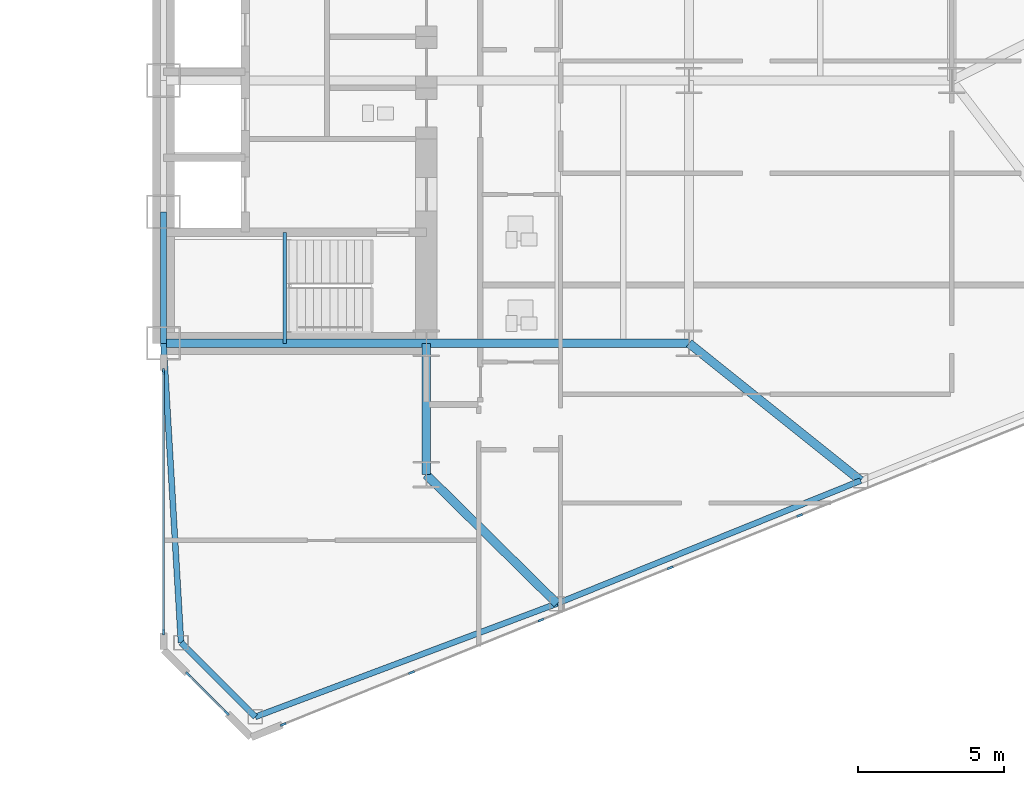
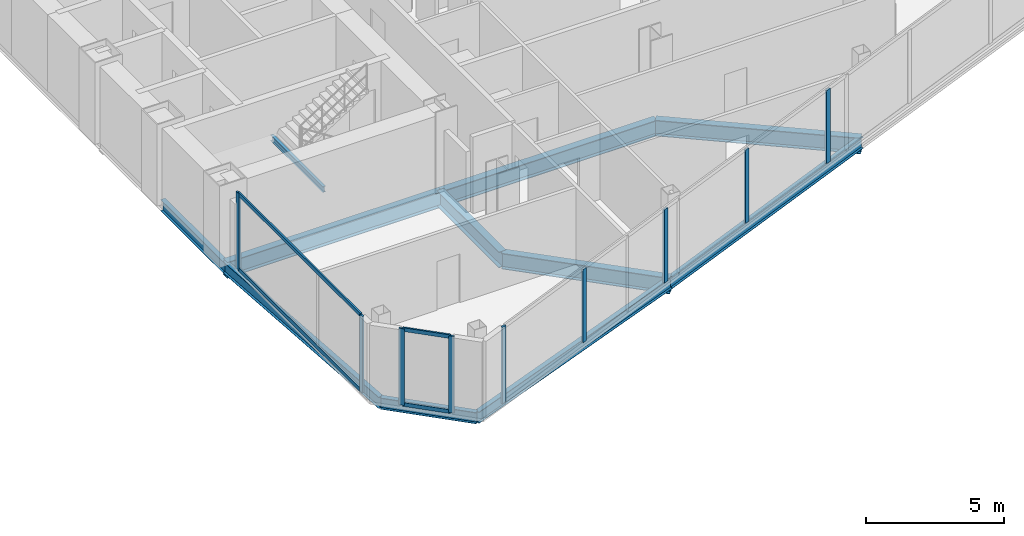
# One storey, part 9 of 25: 13 members, 11 beams, 3 elements without a shape of their own.
"""IFC4 building model written with IfcOpenShell, lengths in metres."""

import ifcopenshell
import ifcopenshell.guid

model = None  # the IFC model being written
_history = None  # IfcOwnerHistory: only IFC2X3 demands one
_inside = {}  # id of a spatial element -> (the spatial element, [elements in it])
_under = {}  # id of a project, library or spatial element -> (it, [spatial elements below it])
_declared = {}  # id of a project -> (the project, [libraries it declares])
_typed = {}  # id of a type object -> (the type object, [elements of that type])
_made_of = {}  # id of a material, layer set ... -> (it, [elements and type objects made of it])


def new_model(schema):
    """Start an empty IFC model of exactly this schema.

    Asked for "IFC4X3", IfcOpenShell would pick the latest addendum, in which some entities
    have other attributes; the version numbers below select the first issue.
    IFC2X3 requires an IfcOwnerHistory on every rooted entity: one is made here for all.
    """
    global model, _history
    if schema == "IFC4X3":
        model = ifcopenshell.file(schema_version=(4, 3, 0, 0))
    else:
        model = ifcopenshell.file(schema=schema)
    _inside.clear()
    _under.clear()
    _declared.clear()
    _typed.clear()
    _made_of.clear()
    _history = None
    if model.schema == "IFC2X3":
        org = make("IfcOrganization", Name="unknown")
        user = make(
            "IfcPersonAndOrganization",
            ThePerson=make("IfcPerson", FamilyName="unknown"),
            TheOrganization=org,
        )
        app = make(
            "IfcApplication",
            ApplicationDeveloper=org,
            Version="unknown",
            ApplicationFullName="unknown",
            ApplicationIdentifier="unknown",
        )
        _history = make(
            "IfcOwnerHistory",
            OwningUser=user,
            OwningApplication=app,
            ChangeAction="ADDED",
            CreationDate=0,
        )
    return model


def make(cls, **values):
    """One entity of the class cls with the attributes given. An attribute that is None is left unset."""
    return model.create_entity(
        cls, **{name: value for name, value in values.items() if value is not None}
    )


def rooted(cls, **values):
    """An entity with a GlobalId (a new one), such as an element, a storey or a relation."""
    return make(cls, GlobalId=ifcopenshell.guid.new(), OwnerHistory=_history, **values)


def si_unit(unit_type, name, prefix=None):
    """IfcSIUnit, for example si_unit("LENGTHUNIT", "METRE", prefix="MILLI")."""
    return make("IfcSIUnit", UnitType=unit_type, Prefix=prefix, Name=name)


def assignment(units):
    """IfcUnitAssignment: the units of a project."""
    return None if units is None else make("IfcUnitAssignment", Units=units)


def point(xyz):
    """IfcCartesianPoint."""
    return None if xyz is None else make("IfcCartesianPoint", Coordinates=xyz)


def direction(xyz):
    """IfcDirection."""
    return None if xyz is None else make("IfcDirection", DirectionRatios=xyz)


def frame(location, z_axis=None, x_axis=None):
    """IfcAxis2Placement3D, a coordinate frame: its origin and axes. An axis left out is left unset."""
    return make(
        "IfcAxis2Placement3D",
        Location=point(location),
        Axis=direction(z_axis),
        RefDirection=direction(x_axis),
    )


def frame_2d(location, x_axis=None):
    """IfcAxis2Placement2D, a coordinate frame in the plane: its origin and x axis."""
    return make(
        "IfcAxis2Placement2D", Location=point(location), RefDirection=direction(x_axis)
    )


def origin():
    """The frame at (0, 0, 0) with its axes left unset."""
    return frame((0.0, 0.0, 0.0))


def origin_2d():
    """The frame at (0, 0) in the plane with its x axis left unset."""
    return frame_2d((0.0, 0.0))


def place(relative_to, where):
    """IfcLocalPlacement: puts the frame where relative to a parent placement (None: the world)."""
    return make(
        "IfcLocalPlacement", PlacementRelTo=relative_to, RelativePlacement=where
    )


def context(
    kind, dimensions, precision=None, world=None, true_north=None, identifier=None
):
    """IfcGeometricRepresentationContext, for example the 3D "Model" context."""
    return make(
        "IfcGeometricRepresentationContext",
        ContextIdentifier=identifier,
        ContextType=kind,
        CoordinateSpaceDimension=dimensions,
        Precision=precision,
        WorldCoordinateSystem=world,
        TrueNorth=true_north,
    )


def subcontext(parent, identifier, kind, view, scale=None):
    """IfcGeometricRepresentationSubContext, for example "Body" below "Model"."""
    return make(
        "IfcGeometricRepresentationSubContext",
        ContextIdentifier=identifier,
        ContextType=kind,
        ParentContext=parent,
        TargetScale=scale,
        TargetView=view,
    )


def project(units=None, contexts=None):
    """IfcProject with its units and contexts."""
    return rooted(
        "IfcProject",
        Name="project",
        RepresentationContexts=contexts,
        UnitsInContext=assignment(units),
    )


def spatial(cls, under=None, at=None, **own):
    """A site, building, storey or space (cls), placed at a placement, below another one or the project."""
    s = rooted(cls, ObjectPlacement=at, **own)
    if under is not None:
        _under.setdefault(under.id(), (under, []))[1].append(s)
    return s


def profile(cls, at=None, kind="AREA", **sizes):
    """A parametric profile (cls). Its sizes go by their IFC names, for example OverallWidth=200.0."""
    return make(cls, ProfileType=kind, Position=at, **sizes)


def rectangle(**sizes):
    """IfcRectangleProfileDef."""
    return profile("IfcRectangleProfileDef", **sizes)


def i_section(**sizes):
    """IfcIShapeProfileDef."""
    return profile("IfcIShapeProfileDef", **sizes)


def extrude(swept, where, along, depth):
    """IfcExtrudedAreaSolid: the profile swept, set in the frame where, extruded along a direction by depth."""
    return make(
        "IfcExtrudedAreaSolid",
        SweptArea=swept,
        Position=where,
        ExtrudedDirection=direction(along),
        Depth=depth,
    )


def shape(context_of_items, identifier, shape_type, items):
    """IfcShapeRepresentation: the items that make up one representation, for example the "Body"."""
    return make(
        "IfcShapeRepresentation",
        ContextOfItems=context_of_items,
        RepresentationIdentifier=identifier,
        RepresentationType=shape_type,
        Items=items,
    )


def source(mapping_origin, context_of_items, identifier, shape_type, items):
    """IfcRepresentationMap: a shape defined once, which mapped items show again and again."""
    return make(
        "IfcRepresentationMap",
        MappingOrigin=mapping_origin,
        MappedRepresentation=shape(context_of_items, identifier, shape_type, items),
    )


def transform(
    local_origin,
    x_axis=None,
    y_axis=None,
    z_axis=None,
    scale=None,
    scale2=None,
    scale3=None,
    uniform=True,
):
    """IfcCartesianTransformationOperator3D, or its non-uniform kind. x_axis, y_axis, z_axis: its Axis1, 2, 3."""
    if uniform:
        return make(
            "IfcCartesianTransformationOperator3D",
            Axis1=direction(x_axis),
            Axis2=direction(y_axis),
            LocalOrigin=point(local_origin),
            Scale=scale,
            Axis3=direction(z_axis),
        )
    return make(
        "IfcCartesianTransformationOperator3DnonUniform",
        Axis1=direction(x_axis),
        Axis2=direction(y_axis),
        LocalOrigin=point(local_origin),
        Scale=scale,
        Axis3=direction(z_axis),
        Scale2=scale2,
        Scale3=scale3,
    )


def mapped(mapping_source, mapping_target):
    """IfcMappedItem: shows the shape of a source again, moved by a transform."""
    return make(
        "IfcMappedItem", MappingSource=mapping_source, MappingTarget=mapping_target
    )


def material(Name=None, Category=None):
    """IfcMaterial."""
    return make("IfcMaterial", Name=Name, Category=Category)


def layer(
    of_material, thickness, ventilated=None, Name=None, Category=None, Priority=None
):
    """IfcMaterialLayer: one layer of a wall or slab, of a material (None: an air gap)."""
    return make(
        "IfcMaterialLayer",
        Material=of_material,
        LayerThickness=thickness,
        IsVentilated=ventilated,
        Name=Name,
        Category=Category,
        Priority=Priority,
    )


def layer_set(layers, Name=None):
    """IfcMaterialLayerSet."""
    return make("IfcMaterialLayerSet", MaterialLayers=layers, LayerSetName=Name)


def material_profile(
    of_material, cross_section, Name=None, Category=None, Priority=None
):
    """IfcMaterialProfile: a cross section and its material."""
    return make(
        "IfcMaterialProfile",
        Name=Name,
        Material=of_material,
        Profile=cross_section,
        Priority=Priority,
        Category=Category,
    )


def profile_set(profiles, Name=None, composite=None):
    """IfcMaterialProfileSet."""
    return make(
        "IfcMaterialProfileSet",
        Name=Name,
        MaterialProfiles=profiles,
        CompositeProfile=composite,
    )


def made_of(thing, what):
    """Note that an element or type object is made of a material, layer set ...; save() writes the relation."""
    if what is not None:
        _made_of.setdefault(what.id(), (what, []))[1].append(thing)
    return thing


def type_object(cls, material=None, **own):
    """A type object (cls), such as IfcWallType, which elements share."""
    return made_of(rooted(cls, **own), material)


def type_shapes(of_type, sources):
    """Give a type object the sources (RepresentationMaps) that its elements show as mapped items."""
    of_type.RepresentationMaps = sources


def element(
    cls,
    number,
    at=None,
    inside=None,
    cuts=None,
    type_object=None,
    material=None,
    context=None,
    identifier="Body",
    shape_type=None,
    held_by="IfcProductDefinitionShape",
    body=None,
    shapes=None,
    **own,
):
    """One element of the class cls, such as IfcWall. Its Tag is "e" and its number.

    at: its placement. inside: the storey or other place that contains it. cuts: it is an
    opening in that element (IfcRelVoidsElement). A single representation is given by context,
    identifier, shape_type and body (its items); several are given by shapes. held_by: the class
    of the entity that holds the representations. save() writes the other relations.
    """
    e = rooted(cls, Tag="e%d" % number, ObjectPlacement=at, **own)
    if body is not None:
        shapes = [shape(context, identifier, shape_type, body)]
    if shapes is not None:
        e.Representation = make(held_by, Representations=shapes)
    if inside is not None:
        _inside.setdefault(inside.id(), (inside, []))[1].append(e)
    if cuts is not None:
        rooted(
            "IfcRelVoidsElement", RelatingBuildingElement=cuts, RelatedOpeningElement=e
        )
    if type_object is not None:
        _typed.setdefault(type_object.id(), (type_object, []))[1].append(e)
    return made_of(e, material)


def aggregate(whole, parts):
    """IfcRelAggregates: a whole, such as a stair, and the parts it consists of."""
    return rooted("IfcRelAggregates", RelatingObject=whole, RelatedObjects=parts)


def save(model, path):
    """Write the relations noted so far, then the file.

    IfcRelAggregates (storeys below a building ...), IfcRelContainedInSpatialStructure (elements
    in a storey), IfcRelDefinesByType, IfcRelAssociatesMaterial and IfcRelDeclares: one each for
    every whole, place, type object, material and project.
    """
    for whole, parts in _under.values():
        aggregate(whole, parts)
    for where, things in _inside.values():
        rooted(
            "IfcRelContainedInSpatialStructure",
            RelatedElements=things,
            RelatingStructure=where,
        )
    for kind, things in _typed.values():
        rooted("IfcRelDefinesByType", RelatedObjects=things, RelatingType=kind)
    for what, things in _made_of.values():
        rooted("IfcRelAssociatesMaterial", RelatedObjects=things, RelatingMaterial=what)
    for by, libraries in _declared.values():
        rooted("IfcRelDeclares", RelatingContext=by, RelatedDefinitions=libraries)
    model.write(path)


model = new_model("IFC4")

# Units and contexts
model_context = context("Model", 3, precision=1e-05, world=origin(), true_north=direction((0.0, 1.0)))
body_context = subcontext(model_context, "Body", "Model", "MODEL_VIEW")
ifc_project = project(units=[si_unit("LENGTHUNIT", "METRE"), si_unit("AREAUNIT", "SQUARE_METRE"), si_unit("VOLUMEUNIT", "CUBIC_METRE"), si_unit("PLANEANGLEUNIT", "RADIAN"), si_unit("MASSUNIT", "GRAM", prefix="KILO")], contexts=[model_context])

# Site, building, storey
site_placement = place(None, origin())
site = spatial("IfcSite", under=ifc_project, at=site_placement, CompositionType="ELEMENT")
building_placement = place(site_placement, origin())
building = spatial("IfcBuilding", under=site, at=building_placement, Name="Seokmaru Belvedere", CompositionType="ELEMENT")
storey_placement = place(building_placement, frame((0.0, 0.0, 36.89990234375)))
storey = spatial("IfcBuildingStorey", under=building, at=storey_placement, Name="L09", CompositionType="ELEMENT", Elevation=36.89990234375)

# Beams
ifc_material_1 = material(Name="Steel SM355 (355 MPa)", Category="steel")
ifc_material_profile_1 = material_profile(ifc_material_1, i_section(OverallWidth=0.199951171875, OverallDepth=0.5, WebThickness=0.010009765625, FlangeThickness=0.01611328125, at=origin_2d()), Name="H-500x200x10x16")
ifc_profile_set_1 = profile_set([ifc_material_profile_1], Name="Steel SM355 (355 MPa)")
beam_type_1 = type_object("IfcBeamType", Name="Perimeter Spandrel Beam H-500", PredefinedType="SPANDREL", material=ifc_profile_set_1)
shared_shape_1 = source(origin(), body_context, "Body", "SweptSolid", [
    extrude(i_section(OverallWidth=0.199951171875, OverallDepth=0.5, WebThickness=0.010009765625, FlangeThickness=0.01611328125, at=origin_2d()), origin(), (0.0, 0.0, 1.0), 4.5),
])
beam_1_placement = place(storey_placement, frame((27.5, -13.5, -0.469970703125), z_axis=(0.0, 1.0, 0.0), x_axis=(-1.0, 0.0, 0.0)))
element("IfcBeam", 1, at=beam_1_placement, inside=storey, type_object=beam_type_1, Name="L09 E Portal Spine Spandrel 1", PredefinedType="SPANDREL", context=body_context, shape_type="MappedRepresentation", body=[
    mapped(shared_shape_1, transform((0.0, 0.0, 0.0), scale=1.0)),
])
ifc_material_profile_2 = material_profile(ifc_material_1, i_section(OverallWidth=0.300048828125, OverallDepth=0.699951171875, WebThickness=0.012939453125, FlangeThickness=0.02392578125, at=origin_2d()), Name="H-700x300x13x24")
ifc_profile_set_2 = profile_set([ifc_material_profile_2], Name="Steel SM355 (355 MPa)")
beam_type_2 = type_object("IfcBeamType", Name="Primary Floor Girder H-700", PredefinedType="BEAM", material=ifc_profile_set_2)
shared_shape_2 = source(origin(), body_context, "Body", "SweptSolid", [
    extrude(i_section(OverallWidth=0.300048828125, OverallDepth=0.699951171875, WebThickness=0.012939453125, FlangeThickness=0.02392578125, at=origin_2d()), origin(), (0.0, 0.0, 1.0), 4.5),
])
beam_2_placement = place(storey_placement, frame((36.5, -18.0, -0.56982421875), z_axis=(0.0, 1.0, 0.0), x_axis=(-1.0, 0.0, 0.0)))
element("IfcBeam", 2, at=beam_2_placement, inside=storey, type_object=beam_type_2, Name="L09 E Core Shoulder Girder S", PredefinedType="BEAM", context=body_context, shape_type="MappedRepresentation", body=[
    mapped(shared_shape_2, transform((0.0, 0.0, 0.0), scale=1.0)),
])
shared_shape_3 = source(origin(), body_context, "Body", "SweptSolid", [
    extrude(i_section(OverallWidth=0.300048828125, OverallDepth=0.699951171875, WebThickness=0.012939453125, FlangeThickness=0.02392578125, at=origin_2d()), origin(), (0.0, 0.0, 1.0), 9.0),
])
for number, where, z_axis, x_axis, name in (
    (3, (27.5, -13.5, -0.56982421875), (1.0, 0.0, 0.0), (0.0, 1.0, 0.0), "L09 E Core Tie Girder 1"),
    (4, (36.5, -13.5, -0.56982421875), (1.0, 0.0, 0.0), (0.0, 1.0, 0.0), "L09 E Wing Primary Girder 1"),
):
    element("IfcBeam", number, at=place(storey_placement, frame(where, z_axis=z_axis, x_axis=x_axis)), inside=storey, type_object=beam_type_2, Name=name, PredefinedType="BEAM", context=body_context, shape_type="MappedRepresentation", body=[
        mapped(shared_shape_3, transform((0.0, 0.0, 0.0), scale=1.0)),
    ])
shared_shape_4 = source(origin(), body_context, "Body", "SweptSolid", [
    extrude(i_section(OverallWidth=0.199951171875, OverallDepth=0.5, WebThickness=0.010009765625, FlangeThickness=0.01611328125, at=origin_2d()), origin(), (0.0, 0.0, 1.0), 11.03857421875),
])
beam_3_placement = place(storey_placement, frame((30.643310546875, -26.294677734375, -0.469970703125), z_axis=(0.936169110734, 0.351549990907, 0.0), x_axis=(-0.351549990907, 0.936169110734, 0.0)))
element("IfcBeam", 5, at=beam_3_placement, inside=storey, type_object=beam_type_1, Name="L09 E Faceted Flank Spandrel S-1", PredefinedType="SPANDREL", context=body_context, shape_type="MappedRepresentation", body=[
    mapped(shared_shape_4, transform((0.0, 0.0, 0.0), scale=1.0)),
])
shared_shape_5 = source(origin(), body_context, "Body", "SweptSolid", [
    extrude(i_section(OverallWidth=0.199951171875, OverallDepth=0.5, WebThickness=0.010009765625, FlangeThickness=0.01611328125, at=origin_2d()), origin(), (0.0, 0.0, 1.0), 11.220703125),
])
beam_4_placement = place(storey_placement, frame((40.977294921875, -22.4140625, -0.469970703125), z_axis=(0.926944290816, 0.375198989503, 0.0), x_axis=(-0.375198989503, 0.926944290816, 0.0)))
element("IfcBeam", 6, at=beam_4_placement, inside=storey, type_object=beam_type_1, Name="L09 E Faceted Flank Spandrel S-2", PredefinedType="SPANDREL", context=body_context, shape_type="MappedRepresentation", body=[
    mapped(shared_shape_5, transform((0.0, 0.0, 0.0), scale=1.0)),
])
shared_shape_6 = source(origin(), body_context, "Body", "SweptSolid", [
    extrude(i_section(OverallWidth=0.199951171875, OverallDepth=0.5, WebThickness=0.010009765625, FlangeThickness=0.01611328125, at=origin_2d()), origin(), (0.0, 0.0, 1.0), 3.5966796875),
])
beam_5_placement = place(storey_placement, frame((30.643310546875, -26.294677734375, -0.469970703125), z_axis=(-0.707106781187, 0.707106781187, 0.0), x_axis=(-0.707106781187, -0.707106781187, 0.0)))
element("IfcBeam", 7, at=beam_5_placement, inside=storey, type_object=beam_type_1, Name="L09 E Shoulder Chamfer Spandrel S", PredefinedType="SPANDREL", context=body_context, shape_type="MappedRepresentation", body=[
    mapped(shared_shape_6, transform((0.0, 0.0, 0.0), scale=1.0)),
])
shared_shape_7 = source(origin(), body_context, "Body", "SweptSolid", [
    extrude(i_section(OverallWidth=0.199951171875, OverallDepth=0.5, WebThickness=0.010009765625, FlangeThickness=0.01611328125, at=origin_2d()), origin(), (0.0, 0.0, 1.0), 10.26904296875),
])
type_shapes(beam_type_1, [shared_shape_1, shared_shape_4, shared_shape_5, shared_shape_6, shared_shape_7])
beam_6_placement = place(storey_placement, frame((28.10009765625, -23.75146484375, -0.469970703125), z_axis=(-0.058437709399, 0.998291056817, 0.0), x_axis=(-0.998291056817, -0.058437709399, 0.0)))
element("IfcBeam", 8, at=beam_6_placement, inside=storey, type_object=beam_type_1, Name="L09 E Shoulder Spine Spandrel S", PredefinedType="SPANDREL", context=body_context, shape_type="MappedRepresentation", body=[
    mapped(shared_shape_7, transform((0.0, 0.0, 0.0), scale=1.0)),
])
shared_shape_8 = source(origin(), body_context, "Body", "SweptSolid", [
    extrude(i_section(OverallWidth=0.300048828125, OverallDepth=0.699951171875, WebThickness=0.012939453125, FlangeThickness=0.02392578125, at=origin_2d()), origin(), (0.0, 0.0, 1.0), 6.287353515625),
])
beam_7_placement = place(storey_placement, frame((40.977294921875, -22.4140625, -0.56982421875), z_axis=(-0.712117485263, 0.702060315915, 0.0), x_axis=(-0.702060315915, -0.712117485263, 0.0)))
element("IfcBeam", 9, at=beam_7_placement, inside=storey, type_object=beam_type_2, Name="L09 E Flank Radial Floor Girder S-1", PredefinedType="BEAM", context=body_context, shape_type="MappedRepresentation", body=[
    mapped(shared_shape_8, transform((0.0, 0.0, 0.0), scale=1.0)),
])
shared_shape_9 = source(origin(), body_context, "Body", "SweptSolid", [
    extrude(i_section(OverallWidth=0.300048828125, OverallDepth=0.699951171875, WebThickness=0.012939453125, FlangeThickness=0.02392578125, at=origin_2d()), origin(), (0.0, 0.0, 1.0), 7.52880859375),
])
type_shapes(beam_type_2, [shared_shape_2, shared_shape_3, shared_shape_8, shared_shape_9])
beam_8_placement = place(storey_placement, frame((51.378173828125, -18.2041015625, -0.56982421875), z_axis=(-0.780767560736, 0.624821587418, 0.0), x_axis=(-0.624821587418, -0.780767560736, 0.0)))
element("IfcBeam", 10, at=beam_8_placement, inside=storey, type_object=beam_type_2, Name="L09 E Flank Radial Floor Girder S-2", PredefinedType="BEAM", context=body_context, shape_type="MappedRepresentation", body=[
    mapped(shared_shape_9, transform((0.0, 0.0, 0.0), scale=1.0)),
])

# Curtain wall, member
ifc_material_2 = material(Name="Bronze Triple Insulating Glass", Category="glass")
ifc_layer = layer(ifc_material_2, 0.2099609375)
ifc_layer_set = layer_set([ifc_layer], Name="Bronze Triple Insulating Glass")
curtain_wall_type = type_object("IfcCurtainWallType", Name="Low-Rise Faceted Crystal Curtain Wall System CW-2", PredefinedType="NOTDEFINED", material=ifc_layer_set)
curtain_wall_1_placement = place(storey_placement, origin())
curtain_wall_1 = element("IfcCurtainWall", 11, at=curtain_wall_1_placement, inside=storey, type_object=curtain_wall_type, Name="L09 Curtain Wall EF1", PredefinedType="NOTDEFINED")
ifc_material_3 = material(Name="Anodised Bronze Aluminium", Category="aluminium")
ifc_material_profile_3 = material_profile(ifc_material_3, rectangle(XDim=0.074951171875, YDim=0.2099609375, at=origin_2d()), Name="CW-M-75x210")
ifc_profile_set_3 = profile_set([ifc_material_profile_3], Name="Anodised Bronze Aluminium")
member_type_1 = type_object("IfcMemberType", Name="Bronze Unitised Mullion 75x210", PredefinedType="MULLION", material=ifc_profile_set_3)
shared_shape_10 = source(origin(), body_context, "Body", "SweptSolid", [
    extrude(rectangle(XDim=0.074951171875, YDim=0.2099609375, at=origin_2d()), origin(), (0.0, 0.0, 1.0), 3.380126953125),
])
member_1_placement = place(storey_placement, frame((31.600830078125, -26.554443359375, 0.0), z_axis=(0.0, 0.0, 1.0), x_axis=(-0.375192321888, 0.926946989637, 0.0)))
member_1 = element("IfcMember", 12, at=member_1_placement, type_object=member_type_1, Name="CW:L09:EF1 Mullion 1", PredefinedType="MULLION", context=body_context, shape_type="MappedRepresentation", body=[
    mapped(shared_shape_10, transform((0.0, 0.0, 0.0), scale=1.0)),
])

# Curtain wall, members
curtain_wall_2_placement = place(storey_placement, origin())
curtain_wall_2 = element("IfcCurtainWall", 13, at=curtain_wall_2_placement, inside=storey, type_object=curtain_wall_type, Name="L09 Curtain Wall ESP_1", PredefinedType="NOTDEFINED")
member_2_placement = place(storey_placement, frame((27.5, -14.467529296875, 0.0), z_axis=(0.0, 0.0, 1.0), x_axis=(1.0, 0.0, 0.0)))
member_2 = element("IfcMember", 14, at=member_2_placement, type_object=member_type_1, Name="CW:L09:ESP_1 Mullion 1", PredefinedType="MULLION", context=body_context, shape_type="MappedRepresentation", body=[
    mapped(shared_shape_10, transform((0.0, 0.0, 0.0), scale=1.0)),
])
member_3_placement = place(storey_placement, frame((27.5, -23.392578125, 0.0), z_axis=(0.0, 0.0, 1.0), x_axis=(1.0, 0.0, 0.0)))
member_3 = element("IfcMember", 15, at=member_3_placement, type_object=member_type_1, Name="CW:L09:ESP_1 Mullion 2", PredefinedType="MULLION", context=body_context, shape_type="MappedRepresentation", body=[
    mapped(shared_shape_10, transform((0.0, 0.0, 0.0), scale=1.0)),
])

curtain_wall_3_placement = place(storey_placement, origin())
curtain_wall_3 = element("IfcCurtainWall", 16, at=curtain_wall_3_placement, inside=storey, type_object=curtain_wall_type, Name="L09 Curtain Wall EF6", PredefinedType="NOTDEFINED")
member_4_placement = place(storey_placement, frame((28.339599609375, -24.839599609375, 0.0), z_axis=(0.0, 0.0, 1.0), x_axis=(0.707106781187, 0.707106781187, 0.0)))
member_4 = element("IfcMember", 17, at=member_4_placement, type_object=member_type_1, Name="CW:L09:EF6 Mullion 1", PredefinedType="MULLION", context=body_context, shape_type="MappedRepresentation", body=[
    mapped(shared_shape_10, transform((0.0, 0.0, 0.0), scale=1.0)),
])
member_5_placement = place(storey_placement, frame((29.660400390625, -26.160400390625, 0.0), z_axis=(0.0, 0.0, 1.0), x_axis=(0.707106781187, 0.707106781187, 0.0)))
member_5 = element("IfcMember", 18, at=member_5_placement, type_object=member_type_1, Name="CW:L09:EF6 Mullion 2", PredefinedType="MULLION", context=body_context, shape_type="MappedRepresentation", body=[
    mapped(shared_shape_10, transform((0.0, 0.0, 0.0), scale=1.0)),
])

# Member
ifc_material_profile_4 = material_profile(ifc_material_3, rectangle(XDim=0.070068359375, YDim=0.1650390625, at=origin_2d()), Name="CW-T-70x165")
ifc_profile_set_4 = profile_set([ifc_material_profile_4], Name="Anodised Bronze Aluminium")
member_type_2 = type_object("IfcMemberType", Name="Bronze Unitised Transom 70x165", PredefinedType="USERDEFINED", material=ifc_profile_set_4)
shared_shape_11 = source(origin(), body_context, "Body", "SweptSolid", [
    extrude(rectangle(XDim=0.070068359375, YDim=0.1650390625, at=origin_2d()), origin(), (0.0, 0.0, 1.0), 8.85009765625),
])
member_6_placement = place(storey_placement, frame((27.5, -14.5048828125, 0.03515625), z_axis=(0.0, -1.0, 0.0), x_axis=(1.0, 0.0, 0.0)))
member_6 = element("IfcMember", 19, at=member_6_placement, type_object=member_type_2, Name="CW:L09:ESP_1 Continuous Transom 1", ObjectType="TRANSOM", PredefinedType="USERDEFINED", context=body_context, shape_type="MappedRepresentation", body=[
    mapped(shared_shape_11, transform((0.0, 0.0, 0.0), scale=1.0)),
])

member_7_placement = place(storey_placement, frame((27.5, -14.5048828125, 3.34521484375), z_axis=(0.0, -1.0, 0.0), x_axis=(1.0, 0.0, 0.0)))
member_7 = element("IfcMember", 20, at=member_7_placement, type_object=member_type_2, Name="CW:L09:ESP_1 Continuous Transom 2", ObjectType="TRANSOM", PredefinedType="USERDEFINED", context=body_context, shape_type="MappedRepresentation", body=[
    mapped(shared_shape_11, transform((0.0, 0.0, 0.0), scale=1.0)),
])

aggregate(curtain_wall_2, [member_2, member_3, member_6, member_7])

shared_shape_12 = source(origin(), body_context, "Body", "SweptSolid", [
    extrude(rectangle(XDim=0.070068359375, YDim=0.1650390625, at=origin_2d()), origin(), (0.0, 0.0, 1.0), 1.792724609375),
])
type_shapes(member_type_2, [shared_shape_11, shared_shape_12])
member_8_placement = place(storey_placement, frame((28.3662109375, -24.8662109375, 0.03515625), z_axis=(0.707106781187, -0.707106781187, 0.0), x_axis=(0.707106781187, 0.707106781187, 0.0)))
member_8 = element("IfcMember", 21, at=member_8_placement, type_object=member_type_2, Name="CW:L09:EF6 Continuous Transom 1", ObjectType="TRANSOM", PredefinedType="USERDEFINED", context=body_context, shape_type="MappedRepresentation", body=[
    mapped(shared_shape_12, transform((0.0, 0.0, 0.0), scale=1.0)),
])

member_9_placement = place(storey_placement, frame((28.3662109375, -24.8662109375, 3.34521484375), z_axis=(0.707106781187, -0.707106781187, 0.0), x_axis=(0.707106781187, 0.707106781187, 0.0)))
member_9 = element("IfcMember", 22, at=member_9_placement, type_object=member_type_2, Name="CW:L09:EF6 Continuous Transom 2", ObjectType="TRANSOM", PredefinedType="USERDEFINED", context=body_context, shape_type="MappedRepresentation", body=[
    mapped(shared_shape_12, transform((0.0, 0.0, 0.0), scale=1.0)),
])

aggregate(curtain_wall_3, [member_4, member_5, member_8, member_9])

shared_shape_13 = source(origin(), body_context, "Body", "SweptSolid", [
    extrude(rectangle(XDim=0.074951171875, YDim=0.2099609375, at=origin_2d()), origin(), (0.0, 0.0, 1.0), 3.239990234375),
])
type_shapes(member_type_1, [shared_shape_10, shared_shape_13])
member_10_placement = place(storey_placement, frame((35.995849609375, -24.775390625, 0.070068359375), z_axis=(0.0, 0.0, 1.0), x_axis=(-0.375192321888, 0.926946989637, 0.0)))
member_10 = element("IfcMember", 23, at=member_10_placement, type_object=member_type_1, Name="CW:L09:EF1 Mullion 2", PredefinedType="MULLION", context=body_context, shape_type="MappedRepresentation", body=[
    mapped(shared_shape_13, transform((0.0, 0.0, 0.0), scale=1.0)),
])

member_11_placement = place(storey_placement, frame((40.425537109375, -22.982421875, 0.070068359375), z_axis=(0.0, 0.0, 1.0), x_axis=(-0.375192321888, 0.926946989637, 0.0)))
member_11 = element("IfcMember", 24, at=member_11_placement, type_object=member_type_1, Name="CW:L09:EF1 Mullion 3", PredefinedType="MULLION", context=body_context, shape_type="MappedRepresentation", body=[
    mapped(shared_shape_13, transform((0.0, 0.0, 0.0), scale=1.0)),
])

member_12_placement = place(storey_placement, frame((44.855224609375, -21.189453125, 0.070068359375), z_axis=(0.0, 0.0, 1.0), x_axis=(-0.375192321888, 0.926946989637, 0.0)))
member_12 = element("IfcMember", 25, at=member_12_placement, type_object=member_type_1, Name="CW:L09:EF1 Mullion 4", PredefinedType="MULLION", context=body_context, shape_type="MappedRepresentation", body=[
    mapped(shared_shape_13, transform((0.0, 0.0, 0.0), scale=1.0)),
])

member_13_placement = place(storey_placement, frame((49.28515625, -19.396484375, 0.070068359375), z_axis=(0.0, 0.0, 1.0), x_axis=(-0.375192321888, 0.926946989637, 0.0)))
member_13 = element("IfcMember", 26, at=member_13_placement, type_object=member_type_1, Name="CW:L09:EF1 Mullion 5", PredefinedType="MULLION", context=body_context, shape_type="MappedRepresentation", body=[
    mapped(shared_shape_13, transform((0.0, 0.0, 0.0), scale=1.0)),
])

aggregate(curtain_wall_1, [member_1, member_10, member_11, member_12, member_13])

# Beam
ifc_material_profile_5 = material_profile(ifc_material_1, i_section(OverallWidth=0.125, OverallDepth=0.25, WebThickness=0.006103515625, FlangeThickness=0.009033203125, at=origin_2d()), Name="H-250x125x6x9")
ifc_profile_set_5 = profile_set([ifc_material_profile_5], Name="Steel SM355 (355 MPa)")
beam_type_3 = type_object("IfcBeamType", Name="Stair Mid-Landing Support Beam H-250", PredefinedType="JOIST", material=ifc_profile_set_5)
shared_shape_14 = source(origin(), body_context, "Body", "SweptSolid", [
    extrude(i_section(OverallWidth=0.125, OverallDepth=0.25, WebThickness=0.006103515625, FlangeThickness=0.009033203125, at=origin_2d()), origin(), (0.0, 0.0, 1.0), 3.800048828125),
])
type_shapes(beam_type_3, [shared_shape_14])
beam_9_placement = place(storey_placement, frame((31.64990234375, -13.5, 1.47509765625), z_axis=(0.0, 1.0, 0.0), x_axis=(-1.0, 0.0, 0.0)))
element("IfcBeam", 27, at=beam_9_placement, inside=storey, type_object=beam_type_3, Name="L09 Stair ST-E1 Mid-Landing Support Beam 1", PredefinedType="JOIST", context=body_context, shape_type="MappedRepresentation", body=[
    mapped(shared_shape_14, transform((0.0, 0.0, 0.0), scale=1.0)),
])

save(model, "model.ifc")
